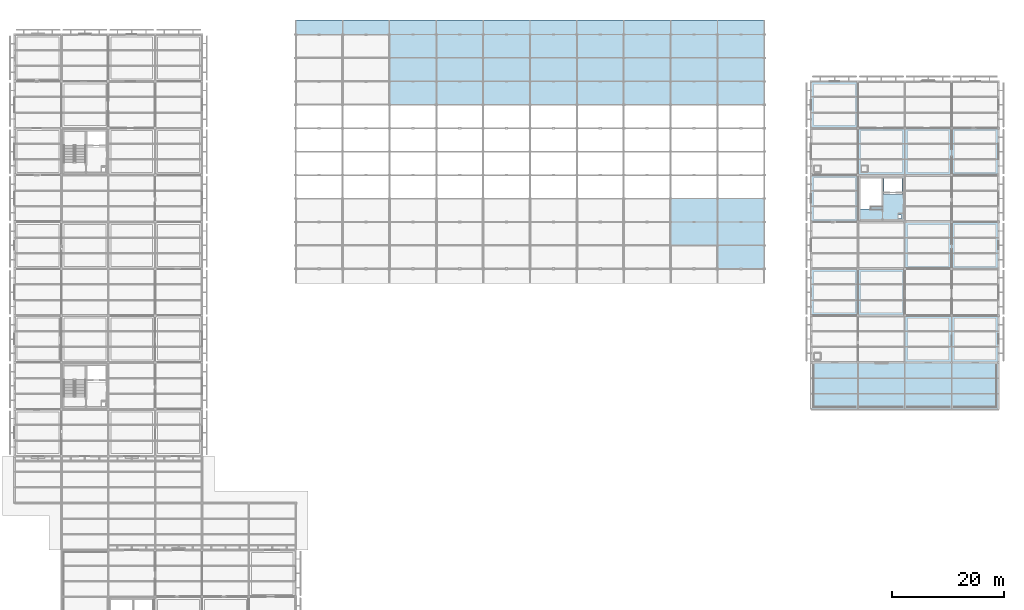
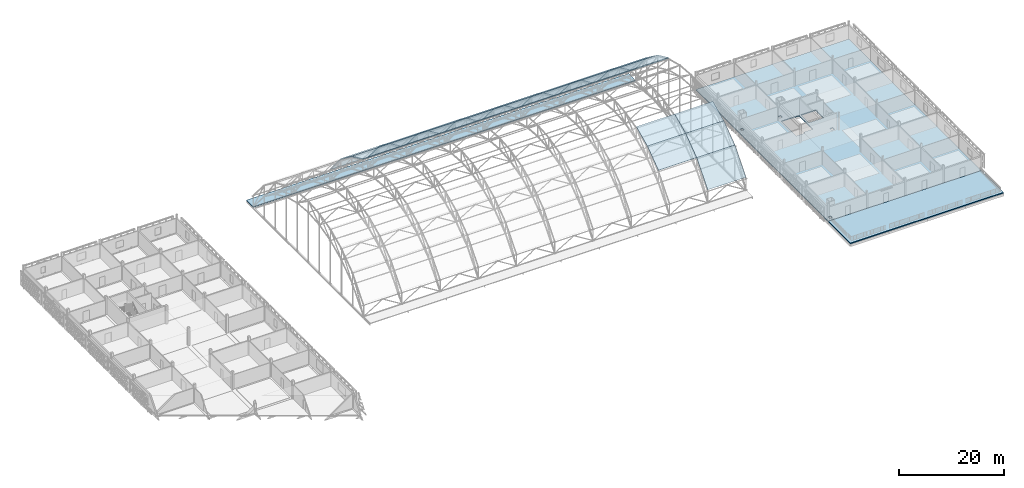
# One storey, part 65 of 103: 32 slabs.
"""IFC4 building model written with IfcOpenShell, lengths in metres."""

from ifc_helpers import new_model, si_unit, direction, frame, origin, place, context, subcontext, project, spatial, polyline, outline, extrude, material, layer, layer_set, type_object, element, save


model = new_model("IFC4")

# Units and contexts
model_context = context("Model", 3, precision=1e-05, world=origin(), true_north=direction((0.0, 1.0)))
body_context = subcontext(model_context, "Body", "Model", "MODEL_VIEW")
ifc_project = project(units=[si_unit("LENGTHUNIT", "METRE"), si_unit("AREAUNIT", "SQUARE_METRE"), si_unit("VOLUMEUNIT", "CUBIC_METRE"), si_unit("PLANEANGLEUNIT", "RADIAN"), si_unit("MASSUNIT", "GRAM", prefix="KILO")], contexts=[model_context])

# Site, building, storey
site_placement = place(None, origin())
site = spatial("IfcSite", under=ifc_project, at=site_placement, CompositionType="ELEMENT")
building_placement = place(site_placement, origin())
building = spatial("IfcBuilding", under=site, at=building_placement, Name="Varnapada Polytechnic", CompositionType="ELEMENT")
storey_placement = place(building_placement, frame((0.0, 0.0, 18.0)))
storey = spatial("IfcBuildingStorey", under=building, at=storey_placement, Name="L04", CompositionType="ELEMENT", Elevation=18.0)

# Slabs
ifc_material_1 = material(Name="Cross-laminated timber CLT C24", Category="wood")
ifc_layer_1 = layer(ifc_material_1, 0.219970703125)
ifc_layer_set_1 = layer_set([ifc_layer_1], Name="Cross-laminated timber CLT C24")
slab_type_1 = type_object("IfcSlabType", Name="L04..L06 design studio CLT slab SL-08", PredefinedType="FLOOR", material=ifc_layer_set_1)
slab_1_placement = place(storey_placement, frame((0.0, 0.0, -0.219970703125)))
element("IfcSlab", 1, at=slab_1_placement, inside=storey, type_object=slab_type_1, Name="L04 V5 slab 1.1", PredefinedType="FLOOR", context=body_context, shape_type="SweptSolid", body=[
    extrude(outline(polyline([(142.800048828125, 92.39990234375), (142.800048828125, 100.800048828125), (142.800048828125, 109.199951171875), (142.800048828125, 117.60009765625), (151.199951171875, 117.60009765625), (159.60009765625, 117.60009765625), (168.0, 117.60009765625), (176.39990234375, 117.60009765625), (176.39990234375, 109.199951171875), (176.39990234375, 100.800048828125), (176.39990234375, 92.39990234375), (176.39990234375, 84.0), (176.39990234375, 75.60009765625), (176.39990234375, 67.199951171875), (168.0, 67.199951171875), (159.60009765625, 67.199951171875), (151.199951171875, 67.199951171875), (142.800048828125, 67.199951171875), (142.800048828125, 75.60009765625), (142.800048828125, 84.0), (142.800048828125, 92.39990234375)]), holes=[polyline([(151.60009765625, 94.7099609375), (153.550048828125, 94.7099609375), (153.550048828125, 95.110107421875), (155.5, 95.110107421875), (155.5, 100.39990234375), (151.60009765625, 100.39990234375), (151.60009765625, 94.7099609375)]), polyline([(155.89990234375, 97.300048828125), (159.10009765625, 97.300048828125), (159.10009765625, 100.35009765625), (155.89990234375, 100.35009765625), (155.89990234375, 97.300048828125)]), polyline([(158.35009765625, 93.02001953125), (159.0, 93.02001953125), (159.0, 93.669921875), (158.35009765625, 93.669921875), (158.35009765625, 93.02001953125)]), polyline([(143.449951171875, 67.85009765625), (144.050048828125, 67.85009765625), (144.050048828125, 68.449951171875), (143.449951171875, 68.449951171875), (143.449951171875, 67.85009765625)]), polyline([(143.449951171875, 101.449951171875), (144.050048828125, 101.449951171875), (144.050048828125, 102.050048828125), (143.449951171875, 102.050048828125), (143.449951171875, 101.449951171875)]), polyline([(151.85009765625, 101.449951171875), (152.449951171875, 101.449951171875), (152.449951171875, 102.050048828125), (151.85009765625, 102.050048828125), (151.85009765625, 101.449951171875)])]), origin(), (0.0, 0.0, 1.0), 0.219970703125),
])
ifc_layer_2 = layer(ifc_material_1, 0.22998046875)
ifc_layer_set_2 = layer_set([ifc_layer_2], Name="Cross-laminated timber CLT C24")
slab_type_2 = type_object("IfcSlabType", Name="L04..L06 occupied studio roof terrace slab SL-10", PredefinedType="FLOOR", material=ifc_layer_set_2)
slab_2_placement = place(storey_placement, frame((0.0, 0.0, -0.22998046875)))
element("IfcSlab", 2, at=slab_2_placement, inside=storey, type_object=slab_type_2, Name="L04 V5_TERRACE slab 1.1", PredefinedType="FLOOR", context=body_context, shape_type="SweptSolid", body=[
    extrude(outline(polyline([(142.800048828125, 67.199951171875), (151.199951171875, 67.199951171875), (159.60009765625, 67.199951171875), (168.0, 67.199951171875), (176.39990234375, 67.199951171875), (176.39990234375, 58.800048828125), (168.0, 58.800048828125), (159.60009765625, 58.800048828125), (151.199951171875, 58.800048828125), (142.800048828125, 58.800048828125), (142.800048828125, 67.199951171875)])), origin(), (0.0, 0.0, 1.0), 0.22998046875),
])
ifc_material_2 = material(Name="Steel S355", Category="steel")
ifc_layer_3 = layer(ifc_material_2, 0.179931640625)
ifc_layer_set_3 = layer_set([ifc_layer_3], Name="Steel S355")
slab_type_3 = type_object("IfcSlabType", Name="Vaulted space frame insulated standing-seam roof deck RS-01", PredefinedType="ROOF", material=ifc_layer_set_3)
slab_3_placement = place(storey_placement, frame((67.199951171875, 113.39990234375, 12.927001953125), z_axis=(0.0, 0.421823449802, 0.906677989805), x_axis=(1.0, 0.0, 0.0)))
element("IfcSlab", 3, at=slab_3_placement, inside=storey, type_object=slab_type_3, Name="Workshop barrel vault roof slab 3.8", PredefinedType="ROOF", context=body_context, shape_type="SweptSolid", body=[
    extrude(outline(polyline([(0.0, 0.0), (8.400146484375, 0.0), (8.400146484375, 4.6325105050838165), (0.0, 4.6325105050838165), (0.0, 0.0)])), origin(), (0.0, 0.0, -1.0), 0.179931640625),
])
slab_4_placement = place(storey_placement, frame((67.199951171875, 117.60009765625, 10.972900390625), z_axis=(0.0, 0.591225448698, 0.806506335259), x_axis=(1.0, 0.0, 0.0)))
element("IfcSlab", 4, at=slab_4_placement, inside=storey, type_object=slab_type_3, Name="Workshop barrel vault roof slab 3.9", PredefinedType="ROOF", context=body_context, shape_type="SweptSolid", body=[
    extrude(outline(polyline([(0.0, 0.0), (8.400146484375, 0.0), (8.400146484375, 5.207586088618119), (0.0, 5.207586088618119), (0.0, 0.0)])), origin(), (0.0, 0.0, -1.0), 0.179931640625),
])
slab_5_placement = place(storey_placement, frame((67.199951171875, 121.800048828125, 7.89404296875), z_axis=(0.0, 0.762446718465, 0.647051003787), x_axis=(1.0, 0.0, 0.0)))
element("IfcSlab", 5, at=slab_5_placement, inside=storey, type_object=slab_type_3, Name="Workshop barrel vault roof slab 3.10", PredefinedType="ROOF", context=body_context, shape_type="SweptSolid", body=[
    extrude(outline(polyline([(0.0, 0.0), (8.400146484375, 0.0), (8.400146484375, 6.490912072303292), (0.0, 6.490912072303292), (0.0, 0.0)])), origin(), (0.0, 0.0, -1.0), 0.179931640625),
])
slab_6_placement = place(storey_placement, frame((75.60009765625, 113.39990234375, 12.927001953125), z_axis=(0.0, 0.421823449802, 0.906677989805), x_axis=(1.0, 0.0, 0.0)))
element("IfcSlab", 6, at=slab_6_placement, inside=storey, type_object=slab_type_3, Name="Workshop barrel vault roof slab 4.8", PredefinedType="ROOF", context=body_context, shape_type="SweptSolid", body=[
    extrude(outline(polyline([(0.0, 0.0), (8.39990234375, 0.0), (8.39990234375, 4.6325105050838165), (0.0, 4.6325105050838165), (0.0, 0.0)])), origin(), (0.0, 0.0, -1.0), 0.179931640625),
])
slab_7_placement = place(storey_placement, frame((75.60009765625, 117.60009765625, 10.972900390625), z_axis=(0.0, 0.591225448698, 0.806506335259), x_axis=(1.0, 0.0, 0.0)))
element("IfcSlab", 7, at=slab_7_placement, inside=storey, type_object=slab_type_3, Name="Workshop barrel vault roof slab 4.9", PredefinedType="ROOF", context=body_context, shape_type="SweptSolid", body=[
    extrude(outline(polyline([(0.0, 0.0), (8.39990234375, 0.0), (8.39990234375, 5.207586088618119), (0.0, 5.207586088618119), (0.0, 0.0)])), origin(), (0.0, 0.0, -1.0), 0.179931640625),
])
slab_8_placement = place(storey_placement, frame((75.60009765625, 121.800048828125, 7.89404296875), z_axis=(0.0, 0.762446718465, 0.647051003787), x_axis=(1.0, 0.0, 0.0)))
element("IfcSlab", 8, at=slab_8_placement, inside=storey, type_object=slab_type_3, Name="Workshop barrel vault roof slab 4.10", PredefinedType="ROOF", context=body_context, shape_type="SweptSolid", body=[
    extrude(outline(polyline([(0.0, 0.0), (8.39990234375, 0.0), (8.39990234375, 6.490912072303292), (0.0, 6.490912072303292), (0.0, 0.0)])), origin(), (0.0, 0.0, -1.0), 0.179931640625),
])
slab_9_placement = place(storey_placement, frame((84.0, 113.39990234375, 12.927001953125), z_axis=(0.0, 0.421823449802, 0.906677989805), x_axis=(1.0, 0.0, 0.0)))
element("IfcSlab", 9, at=slab_9_placement, inside=storey, type_object=slab_type_3, Name="Workshop barrel vault roof slab 5.8", PredefinedType="ROOF", context=body_context, shape_type="SweptSolid", body=[
    extrude(outline(polyline([(0.0, 0.0), (8.39990234375, 0.0), (8.39990234375, 4.6325105050838165), (0.0, 4.6325105050838165), (0.0, 0.0)])), origin(), (0.0, 0.0, -1.0), 0.179931640625),
])
slab_10_placement = place(storey_placement, frame((84.0, 117.60009765625, 10.972900390625), z_axis=(0.0, 0.591225448698, 0.806506335259), x_axis=(1.0, 0.0, 0.0)))
element("IfcSlab", 10, at=slab_10_placement, inside=storey, type_object=slab_type_3, Name="Workshop barrel vault roof slab 5.9", PredefinedType="ROOF", context=body_context, shape_type="SweptSolid", body=[
    extrude(outline(polyline([(0.0, 0.0), (8.39990234375, 0.0), (8.39990234375, 5.207586088618119), (0.0, 5.207586088618119), (0.0, 0.0)])), origin(), (0.0, 0.0, -1.0), 0.179931640625),
])
slab_11_placement = place(storey_placement, frame((84.0, 121.800048828125, 7.89404296875), z_axis=(0.0, 0.762446718465, 0.647051003787), x_axis=(1.0, 0.0, 0.0)))
element("IfcSlab", 11, at=slab_11_placement, inside=storey, type_object=slab_type_3, Name="Workshop barrel vault roof slab 5.10", PredefinedType="ROOF", context=body_context, shape_type="SweptSolid", body=[
    extrude(outline(polyline([(0.0, 0.0), (8.39990234375, 0.0), (8.39990234375, 6.490912072303292), (0.0, 6.490912072303292), (0.0, 0.0)])), origin(), (0.0, 0.0, -1.0), 0.179931640625),
])
slab_12_placement = place(storey_placement, frame((92.39990234375, 113.39990234375, 12.927001953125), z_axis=(0.0, 0.421823449802, 0.906677989805), x_axis=(1.0, 0.0, 0.0)))
element("IfcSlab", 12, at=slab_12_placement, inside=storey, type_object=slab_type_3, Name="Workshop barrel vault roof slab 6.8", PredefinedType="ROOF", context=body_context, shape_type="SweptSolid", body=[
    extrude(outline(polyline([(0.0, 0.0), (8.400146484375, 0.0), (8.400146484375, 4.6325105050838165), (0.0, 4.6325105050838165), (0.0, 0.0)])), origin(), (0.0, 0.0, -1.0), 0.179931640625),
])
slab_13_placement = place(storey_placement, frame((92.39990234375, 117.60009765625, 10.972900390625), z_axis=(0.0, 0.591225448698, 0.806506335259), x_axis=(1.0, 0.0, 0.0)))
element("IfcSlab", 13, at=slab_13_placement, inside=storey, type_object=slab_type_3, Name="Workshop barrel vault roof slab 6.9", PredefinedType="ROOF", context=body_context, shape_type="SweptSolid", body=[
    extrude(outline(polyline([(0.0, 0.0), (8.400146484375, 0.0), (8.400146484375, 5.207586088618119), (0.0, 5.207586088618119), (0.0, 0.0)])), origin(), (0.0, 0.0, -1.0), 0.179931640625),
])
slab_14_placement = place(storey_placement, frame((92.39990234375, 121.800048828125, 7.89404296875), z_axis=(0.0, 0.762446718465, 0.647051003787), x_axis=(1.0, 0.0, 0.0)))
element("IfcSlab", 14, at=slab_14_placement, inside=storey, type_object=slab_type_3, Name="Workshop barrel vault roof slab 6.10", PredefinedType="ROOF", context=body_context, shape_type="SweptSolid", body=[
    extrude(outline(polyline([(0.0, 0.0), (8.400146484375, 0.0), (8.400146484375, 6.490912072303292), (0.0, 6.490912072303292), (0.0, 0.0)])), origin(), (0.0, 0.0, -1.0), 0.179931640625),
])
slab_15_placement = place(storey_placement, frame((100.800048828125, 113.39990234375, 12.927001953125), z_axis=(0.0, 0.421823449802, 0.906677989805), x_axis=(1.0, 0.0, 0.0)))
element("IfcSlab", 15, at=slab_15_placement, inside=storey, type_object=slab_type_3, Name="Workshop barrel vault roof slab 7.8", PredefinedType="ROOF", context=body_context, shape_type="SweptSolid", body=[
    extrude(outline(polyline([(0.0, 0.0), (8.39990234375, 0.0), (8.39990234375, 4.6325105050838165), (0.0, 4.6325105050838165), (0.0, 0.0)])), origin(), (0.0, 0.0, -1.0), 0.179931640625),
])
slab_16_placement = place(storey_placement, frame((100.800048828125, 117.60009765625, 10.972900390625), z_axis=(0.0, 0.591225448698, 0.806506335259), x_axis=(1.0, 0.0, 0.0)))
element("IfcSlab", 16, at=slab_16_placement, inside=storey, type_object=slab_type_3, Name="Workshop barrel vault roof slab 7.9", PredefinedType="ROOF", context=body_context, shape_type="SweptSolid", body=[
    extrude(outline(polyline([(0.0, 0.0), (8.39990234375, 0.0), (8.39990234375, 5.207586088618119), (0.0, 5.207586088618119), (0.0, 0.0)])), origin(), (0.0, 0.0, -1.0), 0.179931640625),
])
slab_17_placement = place(storey_placement, frame((100.800048828125, 121.800048828125, 7.89404296875), z_axis=(0.0, 0.762446718465, 0.647051003787), x_axis=(1.0, 0.0, 0.0)))
element("IfcSlab", 17, at=slab_17_placement, inside=storey, type_object=slab_type_3, Name="Workshop barrel vault roof slab 7.10", PredefinedType="ROOF", context=body_context, shape_type="SweptSolid", body=[
    extrude(outline(polyline([(0.0, 0.0), (8.39990234375, 0.0), (8.39990234375, 6.490912072303292), (0.0, 6.490912072303292), (0.0, 0.0)])), origin(), (0.0, 0.0, -1.0), 0.179931640625),
])
slab_18_placement = place(storey_placement, frame((109.199951171875, 113.39990234375, 12.927001953125), z_axis=(0.0, 0.421823449802, 0.906677989805), x_axis=(1.0, 0.0, 0.0)))
element("IfcSlab", 18, at=slab_18_placement, inside=storey, type_object=slab_type_3, Name="Workshop barrel vault roof slab 8.8", PredefinedType="ROOF", context=body_context, shape_type="SweptSolid", body=[
    extrude(outline(polyline([(0.0, 0.0), (8.400146484375, 0.0), (8.400146484375, 4.6325105050838165), (0.0, 4.6325105050838165), (0.0, 0.0)])), origin(), (0.0, 0.0, -1.0), 0.179931640625),
])
slab_19_placement = place(storey_placement, frame((109.199951171875, 117.60009765625, 10.972900390625), z_axis=(0.0, 0.591225448698, 0.806506335259), x_axis=(1.0, 0.0, 0.0)))
element("IfcSlab", 19, at=slab_19_placement, inside=storey, type_object=slab_type_3, Name="Workshop barrel vault roof slab 8.9", PredefinedType="ROOF", context=body_context, shape_type="SweptSolid", body=[
    extrude(outline(polyline([(0.0, 0.0), (8.400146484375, 0.0), (8.400146484375, 5.207586088618119), (0.0, 5.207586088618119), (0.0, 0.0)])), origin(), (0.0, 0.0, -1.0), 0.179931640625),
])
slab_20_placement = place(storey_placement, frame((109.199951171875, 121.800048828125, 7.89404296875), z_axis=(0.0, 0.762446718465, 0.647051003787), x_axis=(1.0, 0.0, 0.0)))
element("IfcSlab", 20, at=slab_20_placement, inside=storey, type_object=slab_type_3, Name="Workshop barrel vault roof slab 8.10", PredefinedType="ROOF", context=body_context, shape_type="SweptSolid", body=[
    extrude(outline(polyline([(0.0, 0.0), (8.400146484375, 0.0), (8.400146484375, 6.490912072303292), (0.0, 6.490912072303292), (0.0, 0.0)])), origin(), (0.0, 0.0, -1.0), 0.179931640625),
])
slab_21_placement = place(storey_placement, frame((117.60009765625, 88.199951171875, 7.89404296875), z_axis=(0.0, -0.591225448698, 0.806506335259), x_axis=(1.0, 0.0, 0.0)))
element("IfcSlab", 21, at=slab_21_placement, inside=storey, type_object=slab_type_3, Name="Workshop barrel vault roof slab 9.2", PredefinedType="ROOF", context=body_context, shape_type="SweptSolid", body=[
    extrude(outline(polyline([(0.0, 0.0), (8.39990234375, 0.0), (8.39990234375, 5.207586088618119), (0.0, 5.207586088618119), (0.0, 0.0)])), origin(), (0.0, 0.0, -1.0), 0.179931640625),
])
for number, where, z_axis, x_axis, name in (
    (22, (117.60009765625, 92.39990234375, 10.972900390625), (0.0, -0.421823449802, 0.906677989805), (1.0, 0.0, 0.0), "Workshop barrel vault roof slab 9.3"),
    (23, (117.60009765625, 113.39990234375, 12.927001953125), (0.0, 0.421823449802, 0.906677989805), (1.0, 0.0, 0.0), "Workshop barrel vault roof slab 9.8"),
):
    element("IfcSlab", number, at=place(storey_placement, frame(where, z_axis=z_axis, x_axis=x_axis)), inside=storey, type_object=slab_type_3, Name=name, PredefinedType="ROOF", context=body_context, shape_type="SweptSolid", body=[
        extrude(outline(polyline([(0.0, 0.0), (8.39990234375, 0.0), (8.39990234375, 4.6325105050838165), (0.0, 4.6325105050838165), (0.0, 0.0)])), origin(), (0.0, 0.0, -1.0), 0.179931640625),
    ])
slab_22_placement = place(storey_placement, frame((117.60009765625, 117.60009765625, 10.972900390625), z_axis=(0.0, 0.591225448698, 0.806506335259), x_axis=(1.0, 0.0, 0.0)))
element("IfcSlab", 24, at=slab_22_placement, inside=storey, type_object=slab_type_3, Name="Workshop barrel vault roof slab 9.9", PredefinedType="ROOF", context=body_context, shape_type="SweptSolid", body=[
    extrude(outline(polyline([(0.0, 0.0), (8.39990234375, 0.0), (8.39990234375, 5.207586088618119), (0.0, 5.207586088618119), (0.0, 0.0)])), origin(), (0.0, 0.0, -1.0), 0.179931640625),
])
for number, where, z_axis, x_axis, name in (
    (25, (117.60009765625, 121.800048828125, 7.89404296875), (0.0, 0.762446718465, 0.647051003787), (1.0, 0.0, 0.0), "Workshop barrel vault roof slab 9.10"),
    (26, (126.0, 84.0, 2.945068359375), (0.0, -0.762446718465, 0.647051003787), (1.0, 0.0, 0.0), "Workshop barrel vault roof slab 10.1"),
):
    element("IfcSlab", number, at=place(storey_placement, frame(where, z_axis=z_axis, x_axis=x_axis)), inside=storey, type_object=slab_type_3, Name=name, PredefinedType="ROOF", context=body_context, shape_type="SweptSolid", body=[
        extrude(outline(polyline([(0.0, 0.0), (8.39990234375, 0.0), (8.39990234375, 6.490912072303292), (0.0, 6.490912072303292), (0.0, 0.0)])), origin(), (0.0, 0.0, -1.0), 0.179931640625),
    ])
slab_23_placement = place(storey_placement, frame((126.0, 88.199951171875, 7.89404296875), z_axis=(0.0, -0.591225448698, 0.806506335259), x_axis=(1.0, 0.0, 0.0)))
element("IfcSlab", 27, at=slab_23_placement, inside=storey, type_object=slab_type_3, Name="Workshop barrel vault roof slab 10.2", PredefinedType="ROOF", context=body_context, shape_type="SweptSolid", body=[
    extrude(outline(polyline([(0.0, 0.0), (8.39990234375, 0.0), (8.39990234375, 5.207586088618119), (0.0, 5.207586088618119), (0.0, 0.0)])), origin(), (0.0, 0.0, -1.0), 0.179931640625),
])
for number, where, z_axis, x_axis, name in (
    (28, (126.0, 92.39990234375, 10.972900390625), (0.0, -0.421823449802, 0.906677989805), (1.0, 0.0, 0.0), "Workshop barrel vault roof slab 10.3"),
    (29, (126.0, 113.39990234375, 12.927001953125), (0.0, 0.421823449802, 0.906677989805), (1.0, 0.0, 0.0), "Workshop barrel vault roof slab 10.8"),
):
    element("IfcSlab", number, at=place(storey_placement, frame(where, z_axis=z_axis, x_axis=x_axis)), inside=storey, type_object=slab_type_3, Name=name, PredefinedType="ROOF", context=body_context, shape_type="SweptSolid", body=[
        extrude(outline(polyline([(0.0, 0.0), (8.39990234375, 0.0), (8.39990234375, 4.6325105050838165), (0.0, 4.6325105050838165), (0.0, 0.0)])), origin(), (0.0, 0.0, -1.0), 0.179931640625),
    ])
slab_24_placement = place(storey_placement, frame((126.0, 117.60009765625, 10.972900390625), z_axis=(0.0, 0.591225448698, 0.806506335259), x_axis=(1.0, 0.0, 0.0)))
element("IfcSlab", 30, at=slab_24_placement, inside=storey, type_object=slab_type_3, Name="Workshop barrel vault roof slab 10.9", PredefinedType="ROOF", context=body_context, shape_type="SweptSolid", body=[
    extrude(outline(polyline([(0.0, 0.0), (8.39990234375, 0.0), (8.39990234375, 5.207586088618119), (0.0, 5.207586088618119), (0.0, 0.0)])), origin(), (0.0, 0.0, -1.0), 0.179931640625),
])
slab_25_placement = place(storey_placement, frame((126.0, 121.800048828125, 7.89404296875), z_axis=(0.0, 0.762446718465, 0.647051003787), x_axis=(1.0, 0.0, 0.0)))
element("IfcSlab", 31, at=slab_25_placement, inside=storey, type_object=slab_type_3, Name="Workshop barrel vault roof slab 10.10", PredefinedType="ROOF", context=body_context, shape_type="SweptSolid", body=[
    extrude(outline(polyline([(0.0, 0.0), (8.39990234375, 0.0), (8.39990234375, 6.490912072303292), (0.0, 6.490912072303292), (0.0, 0.0)])), origin(), (0.0, 0.0, -1.0), 0.179931640625),
])
slab_26_placement = place(storey_placement, frame((0.0, 0.0, -0.179931640625)))
element("IfcSlab", 32, at=slab_26_placement, inside=storey, type_object=slab_type_3, Name="Workshop hall N deep shade eave canopy slab", PredefinedType="ROOF", context=body_context, shape_type="SweptSolid", body=[
    extrude(outline(polyline([(134.39990234375, 126.0), (134.39990234375, 128.60009765625), (50.39990234375, 128.60009765625), (50.39990234375, 126.0), (134.39990234375, 126.0)])), origin(), (0.0, 0.0, 1.0), 0.179931640625),
])

save(model, "model.ifc")
